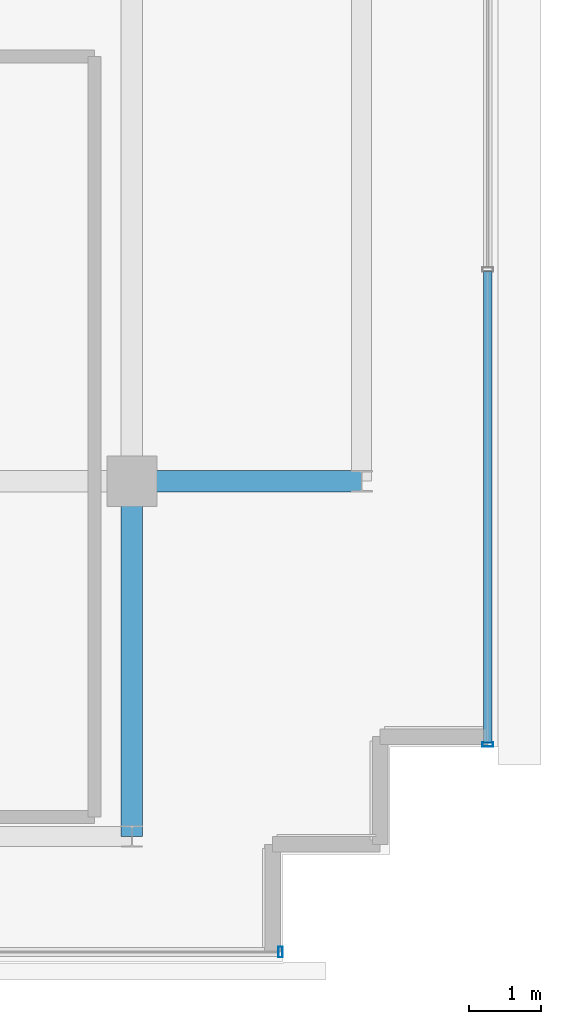
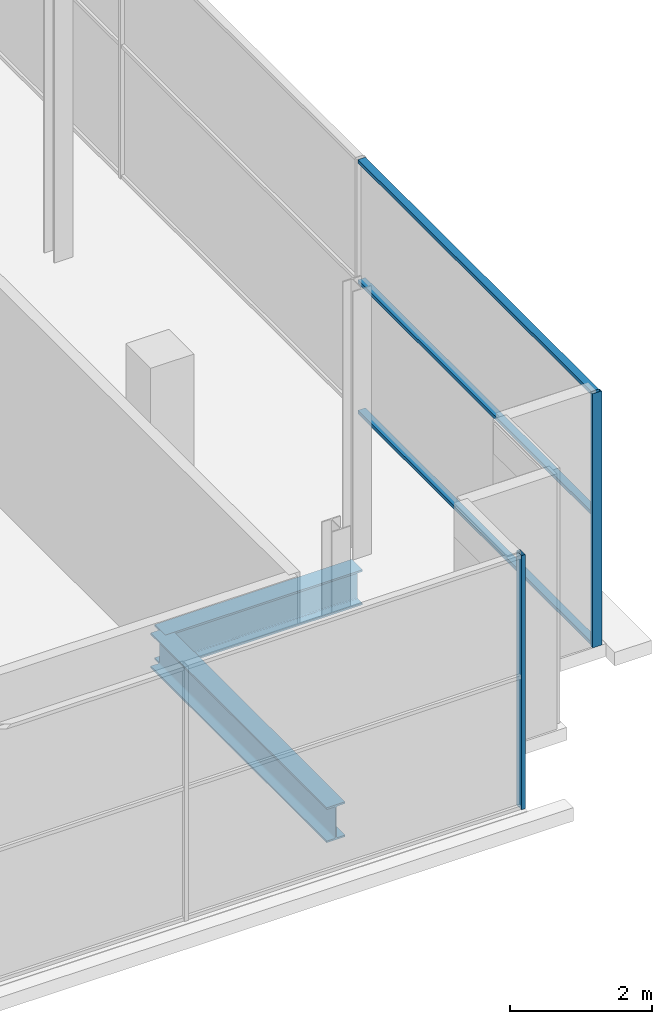
# One storey, part 15 of 26: 5 members, 2 beams, 2 elements without a shape of their own.
"""IFC4 building model written with IfcOpenShell, lengths in metres."""

from ifc_helpers import new_model, si_unit, direction, frame, origin, origin_2d, place, context, subcontext, project, spatial, hollow_rectangle, i_section, extrude, source, transform, mapped, material, layer, layer_set, material_profile, profile_set, type_object, element, aggregate, save


model = new_model("IFC4")

# Units and contexts
model_context = context("Model", 3, precision=1e-05, world=origin(), true_north=direction((0.0, 1.0)))
body_context = subcontext(model_context, "Body", "Model", "MODEL_VIEW")
ifc_project = project(units=[si_unit("LENGTHUNIT", "METRE"), si_unit("AREAUNIT", "SQUARE_METRE"), si_unit("VOLUMEUNIT", "CUBIC_METRE"), si_unit("PLANEANGLEUNIT", "RADIAN"), si_unit("MASSUNIT", "GRAM", prefix="KILO")], contexts=[model_context])

# Site, building, storey
site_placement = place(None, origin())
site = spatial("IfcSite", under=ifc_project, at=site_placement, CompositionType="ELEMENT")
building_placement = place(site_placement, origin())
building = spatial("IfcBuilding", under=site, at=building_placement, Name="Zarnakvel Exchange Tower", CompositionType="ELEMENT")
storey_placement = place(building_placement, frame((0.0, 0.0, 280.800048828125)))
storey = spatial("IfcBuildingStorey", under=building, at=storey_placement, Name="Crown L79", CompositionType="ELEMENT", Elevation=280.800048828125)

# Beams
ifc_material_1 = material(Name="Steel S355", Category="steel")
ifc_material_profile_1 = material_profile(ifc_material_1, i_section(OverallWidth=0.300048828125, OverallDepth=0.60009765625, WebThickness=0.015380859375, FlangeThickness=0.030029296875, FilletRadius=0.027099609375, at=origin_2d()))
ifc_profile_set_1 = profile_set([ifc_material_profile_1], Name="Steel S355")
beam_type = type_object("IfcBeamType", Name="G-04", PredefinedType="BEAM", material=ifc_profile_set_1)
beam_1_placement = place(storey_placement, frame((14.39990234375, -9.60009765625, -0.52001953125), z_axis=(1.0, 0.0, 0.0), x_axis=(0.0, 1.0, 0.0)))
element("IfcBeam", 1, at=beam_1_placement, inside=storey, type_object=beam_type, Name="Crown L79 Tower E-W Frame Beam", PredefinedType="BEAM", context=body_context, shape_type="SweptSolid", body=[
    extrude(i_section(OverallWidth=0.300048828125, OverallDepth=0.60009765625, WebThickness=0.015380859375, FlangeThickness=0.030029296875, FilletRadius=0.027099609375, at=origin_2d()), origin(), (0.0, 0.0, 1.0), 3.2001953125),
])
beam_2_placement = place(storey_placement, frame((14.39990234375, -14.550048828125, -0.52001953125), z_axis=(0.0, 1.0, 0.0), x_axis=(-1.0, 0.0, 0.0)))
element("IfcBeam", 2, at=beam_2_placement, inside=storey, type_object=beam_type, Name="Crown L79 Tower N-S Frame Beam", PredefinedType="BEAM", context=body_context, shape_type="SweptSolid", body=[
    extrude(i_section(OverallWidth=0.300048828125, OverallDepth=0.60009765625, WebThickness=0.015380859375, FlangeThickness=0.030029296875, FilletRadius=0.027099609375, at=origin_2d()), origin(), (0.0, 0.0, 1.0), 4.949951171875),
])

# Curtain wall, member
ifc_material_2 = material(Name="Architectural Bronze Anodised Aluminium", Category="aluminium")
ifc_layer = layer(ifc_material_2, 0.14990234375)
ifc_layer_set = layer_set([ifc_layer], Name="Architectural Bronze Anodised Aluminium")
curtain_wall_type = type_object("IfcCurtainWallType", Name="CW-07", PredefinedType="NOTDEFINED", material=ifc_layer_set)
curtain_wall_1_placement = place(storey_placement, origin())
curtain_wall_1 = element("IfcCurtainWall", 3, at=curtain_wall_1_placement, inside=storey, type_object=curtain_wall_type, Name="Crown L79 Curtain Wall CW-Crown L79-S (CW-07)", PredefinedType="NOTDEFINED")
ifc_material_profile_2 = material_profile(ifc_material_2, hollow_rectangle(XDim=0.14990234375, YDim=0.06005859375, WallThickness=0.00390625, at=origin_2d()))
ifc_profile_set_2 = profile_set([ifc_material_profile_2], Name="Architectural Bronze Anodised Aluminium")
member_type_1 = type_object("IfcMemberType", Name="CWM-07", PredefinedType="MULLION", material=ifc_profile_set_2)
shared_shape_1 = source(origin(), body_context, "Body", "SweptSolid", [
    extrude(hollow_rectangle(XDim=0.14990234375, YDim=0.06005859375, WallThickness=0.00390625, at=origin_2d()), origin(), (0.0, 0.0, 1.0), 4.35986328125),
])
member_1_placement = place(storey_placement, frame((16.469970703125, -16.159912109375, 0.0), z_axis=(0.0, 0.0, 1.0), x_axis=(0.0, 1.0, 0.0)))
member_1 = element("IfcMember", 4, at=member_1_placement, type_object=member_type_1, Name="CW-07 mullion 7", PredefinedType="MULLION", context=body_context, shape_type="MappedRepresentation", body=[
    mapped(shared_shape_1, transform((0.0, 0.0, 0.0), x_axis=(1.0, 0.0, 0.0), y_axis=(0.0, 1.0, 0.0), z_axis=(0.0, 0.0, 1.0), scale=1.0)),
])
aggregate(curtain_wall_1, [member_1])

# Curtain wall, members
curtain_wall_2_placement = place(storey_placement, origin())
curtain_wall_2 = element("IfcCurtainWall", 5, at=curtain_wall_2_placement, inside=storey, type_object=curtain_wall_type, Name="Crown L79 Curtain Wall CW-Crown L79-E (CW-07)", PredefinedType="NOTDEFINED")
member_2_placement = place(storey_placement, frame((19.360107421875, -13.27001953125, 0.0), z_axis=(0.0, 0.0, 1.0), x_axis=(-1.0, 0.0, 0.0)))
member_2 = element("IfcMember", 6, at=member_2_placement, type_object=member_type_1, Name="CW-07 mullion 1", PredefinedType="MULLION", context=body_context, shape_type="MappedRepresentation", body=[
    mapped(shared_shape_1, transform((0.0, 0.0, 0.0), x_axis=(1.0, 0.0, 0.0), y_axis=(0.0, 1.0, 0.0), z_axis=(0.0, 0.0, 1.0), scale=1.0)),
])
ifc_material_profile_3 = material_profile(ifc_material_2, hollow_rectangle(XDim=0.1201171875, YDim=0.06005859375, WallThickness=0.00390625, at=origin_2d()))
ifc_profile_set_3 = profile_set([ifc_material_profile_3], Name="Architectural Bronze Anodised Aluminium")
member_type_2 = type_object("IfcMemberType", Name="CWT-07", PredefinedType="USERDEFINED", material=ifc_profile_set_3)
shared_shape_2 = source(origin(), body_context, "Body", "SweptSolid", [
    extrude(hollow_rectangle(XDim=0.1201171875, YDim=0.06005859375, WallThickness=0.00390625, at=origin_2d()), origin(), (0.0, 0.0, 1.0), 6.56005859375),
])
member_3_placement = place(storey_placement, frame((19.360107421875, -13.239990234375, 0.030029296875), z_axis=(0.0, 1.0, 0.0), x_axis=(-1.0, 0.0, 0.0)))
member_3 = element("IfcMember", 7, at=member_3_placement, type_object=member_type_2, Name="CW-07 transom 1.1", ObjectType="TRANSOM", PredefinedType="USERDEFINED", context=body_context, shape_type="MappedRepresentation", body=[
    mapped(shared_shape_2, transform((0.0, 0.0, 0.0), x_axis=(1.0, 0.0, 0.0), y_axis=(0.0, 1.0, 0.0), z_axis=(0.0, 0.0, 1.0), scale=1.0)),
])
member_4_placement = place(storey_placement, frame((19.360107421875, -13.239990234375, 2.26708984375), z_axis=(0.0, 1.0, 0.0), x_axis=(-1.0, 0.0, 0.0)))
member_4 = element("IfcMember", 8, at=member_4_placement, type_object=member_type_2, Name="CW-07 transom 1.2", ObjectType="TRANSOM", PredefinedType="USERDEFINED", context=body_context, shape_type="MappedRepresentation", body=[
    mapped(shared_shape_2, transform((0.0, 0.0, 0.0), x_axis=(1.0, 0.0, 0.0), y_axis=(0.0, 1.0, 0.0), z_axis=(0.0, 0.0, 1.0), scale=1.0)),
])
member_5_placement = place(storey_placement, frame((19.360107421875, -13.239990234375, 4.329833984375), z_axis=(0.0, 1.0, 0.0), x_axis=(-1.0, 0.0, 0.0)))
member_5 = element("IfcMember", 9, at=member_5_placement, type_object=member_type_2, Name="CW-07 transom 1.3", ObjectType="TRANSOM", PredefinedType="USERDEFINED", context=body_context, shape_type="MappedRepresentation", body=[
    mapped(shared_shape_2, transform((0.0, 0.0, 0.0), x_axis=(1.0, 0.0, 0.0), y_axis=(0.0, 1.0, 0.0), z_axis=(0.0, 0.0, 1.0), scale=1.0)),
])
aggregate(curtain_wall_2, [member_2, member_3, member_4, member_5])

save(model, "model.ifc")
